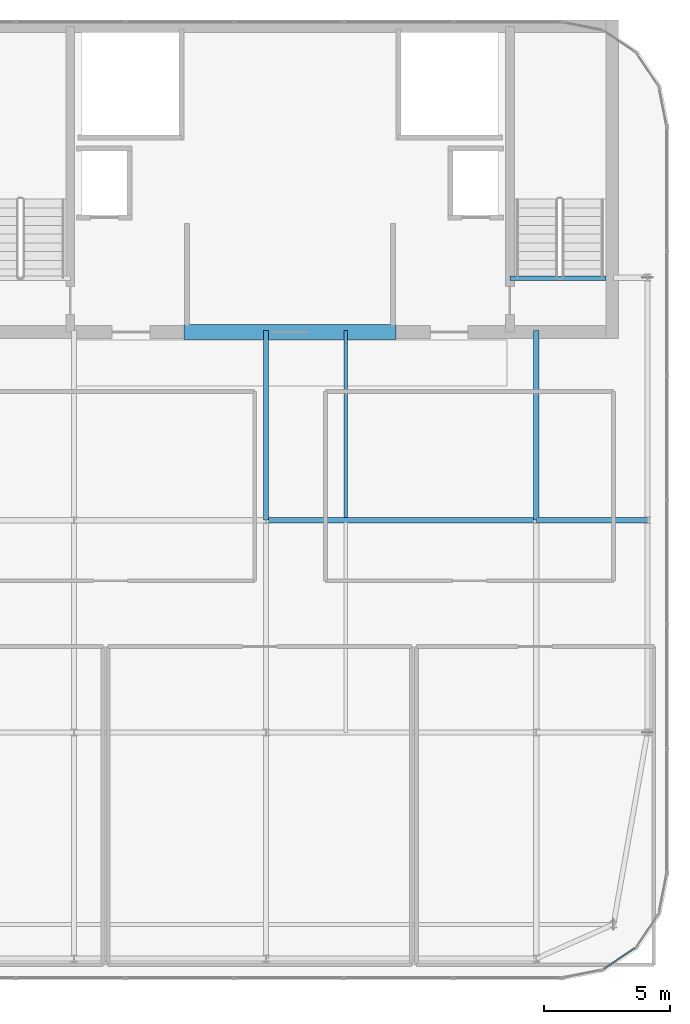
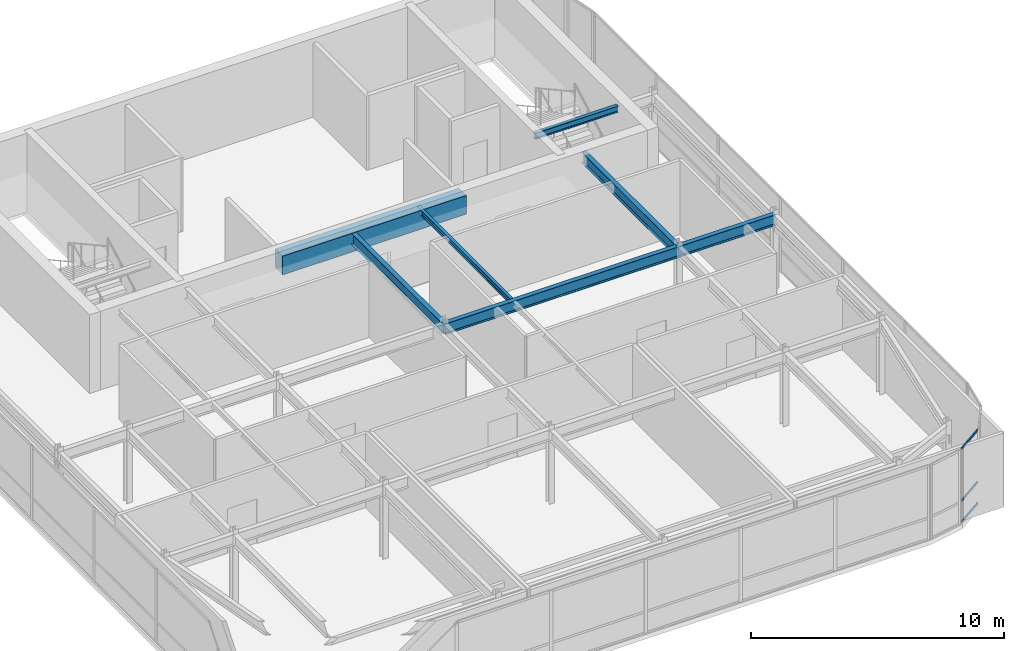
# One storey, part 20 of 36: 7 beams, 3 members, 1 element without a shape of its own.
"""IFC4 building model written with IfcOpenShell, lengths in metres."""

from ifc_helpers import new_model, si_unit, direction, frame, origin, origin_2d, place, context, subcontext, project, spatial, rectangle, hollow_rectangle, i_section, extrude, source, transform, mapped, material, layer, layer_set, material_profile, profile_set, type_object, type_shapes, element, aggregate, save


model = new_model("IFC4")

# Units and contexts
model_context = context("Model", 3, precision=1e-05, world=origin(), true_north=direction((0.0, 1.0)))
body_context = subcontext(model_context, "Body", "Model", "MODEL_VIEW")
ifc_project = project(units=[si_unit("LENGTHUNIT", "METRE"), si_unit("AREAUNIT", "SQUARE_METRE"), si_unit("VOLUMEUNIT", "CUBIC_METRE"), si_unit("PLANEANGLEUNIT", "RADIAN"), si_unit("MASSUNIT", "GRAM", prefix="KILO")], contexts=[model_context])

# Site, building, storey
site_placement = place(None, origin())
site = spatial("IfcSite", under=ifc_project, at=site_placement, CompositionType="ELEMENT")
building_placement = place(site_placement, origin())
building = spatial("IfcBuilding", under=site, at=building_placement, Name="Tolvann Quenvar Hotel", CompositionType="ELEMENT")
storey_placement = place(building_placement, frame((0.0, 0.0, 306.14990234375)))
storey = spatial("IfcBuildingStorey", under=building, at=storey_placement, Name="L81", CompositionType="ELEMENT", Elevation=306.14990234375)

# Beams
ifc_material_1 = material(Name="Concrete N50 (50 MPa)", Category="concrete")
ifc_material_profile_1 = material_profile(ifc_material_1, rectangle(XDim=0.60009765625, YDim=0.89990234375, at=origin_2d()), Name="RC600x900")
ifc_profile_set_1 = profile_set([ifc_material_profile_1], Name="Concrete N50 (50 MPa)")
beam_type_1 = type_object("IfcBeamType", Name="BM_LINT_RC600x900", PredefinedType="LINTEL", material=ifc_profile_set_1)
shared_shape_1 = source(origin(), body_context, "Body", "SweptSolid", [
    extrude(rectangle(XDim=0.60009765625, YDim=0.89990234375, at=origin_2d()), origin(), (0.0, 0.0, 1.0), 8.39990234375),
])
type_shapes(beam_type_1, [shared_shape_1])
beam_1_placement = place(storey_placement, frame((18.800048828125, 31.85009765625, 3.130126953125), z_axis=(1.0, 0.0, 0.0), x_axis=(0.0, 1.0, 0.0)))
element("IfcBeam", 1, at=beam_1_placement, inside=storey, type_object=beam_type_1, Name="Core Coupling Lintel Beam (L81)", PredefinedType="LINTEL", context=body_context, shape_type="MappedRepresentation", body=[
    mapped(shared_shape_1, transform((0.0, 0.0, 0.0), x_axis=(1.0, 0.0, 0.0), y_axis=(0.0, 1.0, 0.0), z_axis=(0.0, 0.0, 1.0), scale=1.0)),
])
ifc_material_2 = material(Name="Steel Grade 350", Category="steel")
ifc_material_profile_2 = material_profile(ifc_material_2, i_section(OverallWidth=0.166015625, OverallDepth=0.306884765625, WebThickness=0.006591796875, FlangeThickness=0.01171875, FilletRadius=0.011474609375, at=origin_2d()), Name="310UB46")
ifc_profile_set_2 = profile_set([ifc_material_profile_2], Name="Steel Grade 350")
beam_type_2 = type_object("IfcBeamType", Name="BM_JOIST_310UB46", PredefinedType="JOIST", material=ifc_profile_set_2)
shared_shape_2 = source(origin(), body_context, "Body", "SweptSolid", [
    extrude(i_section(OverallWidth=0.166015625, OverallDepth=0.306884765625, WebThickness=0.006591796875, FlangeThickness=0.01171875, FilletRadius=0.011474609375, at=origin_2d()), origin(), (0.0, 0.0, 1.0), 3.800048828125),
])
type_shapes(beam_type_2, [shared_shape_2])
beam_2_placement = place(storey_placement, frame((31.699951171875, 33.97998046875, 3.426513671875), z_axis=(1.0, 0.0, 0.0), x_axis=(0.0, 1.0, 0.0)))
element("IfcBeam", 2, at=beam_2_placement, inside=storey, type_object=beam_type_2, Name="BM-HDR-STC2-L82", PredefinedType="JOIST", context=body_context, shape_type="MappedRepresentation", body=[
    mapped(shared_shape_2, transform((0.0, 0.0, 0.0), x_axis=(1.0, 0.0, 0.0), y_axis=(0.0, 1.0, 0.0), z_axis=(0.0, 0.0, 1.0), scale=1.0)),
])
ifc_material_profile_3 = material_profile(ifc_material_2, i_section(OverallWidth=0.208984375, OverallDepth=0.532958984375, WebThickness=0.01025390625, FlangeThickness=0.015625, FilletRadius=0.013916015625, at=origin_2d()), Name="530UB92")
ifc_profile_set_3 = profile_set([ifc_material_profile_3], Name="Steel Grade 350")
beam_type_3 = type_object("IfcBeamType", Name="BM_GIRD_530UB92", PredefinedType="BEAM", material=ifc_profile_set_3)
shared_shape_3 = source(origin(), body_context, "Body", "SweptSolid", [
    extrude(i_section(OverallWidth=0.208984375, OverallDepth=0.532958984375, WebThickness=0.01025390625, FlangeThickness=0.015625, FilletRadius=0.013916015625, at=origin_2d()), origin(), (0.0, 0.0, 1.0), 7.5),
])
for number, where, z_axis, x_axis, name in (
    (3, (22.050048828125, 24.39990234375, 3.3134765625), (0.0, 1.0, 0.0), (-1.0, 0.0, 0.0), "BM-L81-CORE-E5"),
    (4, (32.75, 24.39990234375, 3.3134765625), (0.0, 1.0, 0.0), (-1.0, 0.0, 0.0), "BM-L81-CORE-FP5"),
):
    element("IfcBeam", number, at=place(storey_placement, frame(where, z_axis=z_axis, x_axis=x_axis)), inside=storey, type_object=beam_type_3, Name=name, PredefinedType="BEAM", context=body_context, shape_type="MappedRepresentation", body=[
        mapped(shared_shape_3, transform((0.0, 0.0, 0.0), x_axis=(1.0, 0.0, 0.0), y_axis=(0.0, 1.0, 0.0), z_axis=(0.0, 0.0, 1.0), scale=1.0)),
    ])
shared_shape_4 = source(origin(), body_context, "Body", "SweptSolid", [
    extrude(i_section(OverallWidth=0.208984375, OverallDepth=0.532958984375, WebThickness=0.01025390625, FlangeThickness=0.015625, FilletRadius=0.013916015625, at=origin_2d()), origin(), (0.0, 0.0, 1.0), 10.699951171875),
])
beam_3_placement = place(storey_placement, frame((22.050048828125, 24.39990234375, 3.3134765625), z_axis=(1.0, 0.0, 0.0), x_axis=(0.0, 1.0, 0.0)))
element("IfcBeam", 5, at=beam_3_placement, inside=storey, type_object=beam_type_3, Name="BM-L81-EW-5-E5-FP5", PredefinedType="BEAM", context=body_context, shape_type="MappedRepresentation", body=[
    mapped(shared_shape_4, transform((0.0, 0.0, 0.0), x_axis=(1.0, 0.0, 0.0), y_axis=(0.0, 1.0, 0.0), z_axis=(0.0, 0.0, 1.0), scale=1.0)),
])
shared_shape_5 = source(origin(), body_context, "Body", "SweptSolid", [
    extrude(i_section(OverallWidth=0.208984375, OverallDepth=0.532958984375, WebThickness=0.01025390625, FlangeThickness=0.015625, FilletRadius=0.013916015625, at=origin_2d()), origin(), (0.0, 0.0, 1.0), 4.39990234375),
])
type_shapes(beam_type_3, [shared_shape_3, shared_shape_4, shared_shape_5])
beam_4_placement = place(storey_placement, frame((32.75, 24.39990234375, 3.3134765625), z_axis=(1.0, 0.0, 0.0), x_axis=(0.0, 1.0, 0.0)))
element("IfcBeam", 6, at=beam_4_placement, inside=storey, type_object=beam_type_3, Name="BM-L81-EW-5-FP5-G5", PredefinedType="BEAM", context=body_context, shape_type="MappedRepresentation", body=[
    mapped(shared_shape_5, transform((0.0, 0.0, 0.0), x_axis=(1.0, 0.0, 0.0), y_axis=(0.0, 1.0, 0.0), z_axis=(0.0, 0.0, 1.0), scale=1.0)),
])
ifc_material_profile_4 = material_profile(ifc_material_2, i_section(OverallWidth=0.14599609375, OverallDepth=0.256103515625, WebThickness=0.00634765625, FlangeThickness=0.010986328125, FilletRadius=0.0087890625, at=origin_2d()), Name="250UB37")
ifc_profile_set_4 = profile_set([ifc_material_profile_4], Name="Steel Grade 350")
beam_type_4 = type_object("IfcBeamType", Name="BM_JOIST_250UB37", PredefinedType="JOIST", material=ifc_profile_set_4)
shared_shape_6 = source(origin(), body_context, "Body", "SweptSolid", [
    extrude(i_section(OverallWidth=0.14599609375, OverallDepth=0.256103515625, WebThickness=0.00634765625, FlangeThickness=0.010986328125, FilletRadius=0.0087890625, at=origin_2d()), origin(), (0.0, 0.0, 1.0), 7.4013671875),
])
type_shapes(beam_type_4, [shared_shape_6])
beam_5_placement = place(storey_placement, frame((25.199951171875, 24.49853515625, 3.4521484375), z_axis=(0.0, 1.0, 0.0), x_axis=(-1.0, 0.0, 0.0)))
element("IfcBeam", 7, at=beam_5_placement, inside=storey, type_object=beam_type_4, Name="BJ-L81-252-244", PredefinedType="JOIST", context=body_context, shape_type="MappedRepresentation", body=[
    mapped(shared_shape_6, transform((0.0, 0.0, 0.0), x_axis=(1.0, 0.0, 0.0), y_axis=(0.0, 1.0, 0.0), z_axis=(0.0, 0.0, 1.0), scale=1.0)),
])

# Curtain wall, members
ifc_material_3 = material(Name="Thermally broken anodised architectural aluminium 6063-T6 and laminated low-E glass", Category="aluminium")
ifc_layer = layer(ifc_material_3, 0.179931640625)
ifc_layer_set = layer_set([ifc_layer], Name="Thermally broken anodised architectural aluminium 6063-T6 and laminated low-E glass")
curtain_wall_type = type_object("IfcCurtainWallType", Name="CW_SYS_LANT_06", PredefinedType="USERDEFINED", material=ifc_layer_set)
curtain_wall_placement = place(storey_placement, origin())
curtain_wall = element("IfcCurtainWall", 8, at=curtain_wall_placement, inside=storey, type_object=curtain_wall_type, Name="Curtain Wall CW-LANT-06 (CWR-L81-E06)", ObjectType="UNITISED CURTAIN WALL", PredefinedType="USERDEFINED")
ifc_material_4 = material(Name="Anodised architectural aluminium 6063-T6 framing", Category="aluminium")
ifc_material_profile_5 = material_profile(ifc_material_4, hollow_rectangle(XDim=0.050048828125, YDim=0.10009765625, WallThickness=0.0029296875, at=origin_2d()), Name="100x50x3RHS")
ifc_profile_set_5 = profile_set([ifc_material_profile_5], Name="Anodised architectural aluminium 6063-T6 framing")
member_type = type_object("IfcMemberType", Name="CW_TRAN_100x50", PredefinedType="USERDEFINED", material=ifc_profile_set_5)
shared_shape_7 = source(origin(), body_context, "Body", "SweptSolid", [
    extrude(hollow_rectangle(XDim=0.050048828125, YDim=0.10009765625, WallThickness=0.0029296875, at=origin_2d()), origin(), (0.0, 0.0, 1.0), 1.439208984375),
])
type_shapes(member_type, [shared_shape_7])
member_1_placement = place(storey_placement, frame((35.440185546875, 6.64990234375, 0.025146484375), z_axis=(0.831449510818, 0.555600315839, 0.0), x_axis=(-0.555600315839, 0.831449510818, 0.0)))
member_1 = element("IfcMember", 9, at=member_1_placement, type_object=member_type, Name="CW-LANT-06 transom 1.1", ObjectType="TRANSOM", PredefinedType="USERDEFINED", context=body_context, shape_type="MappedRepresentation", body=[
    mapped(shared_shape_7, transform((0.0, 0.0, 0.0), x_axis=(1.0, 0.0, 0.0), y_axis=(0.0, 1.0, 0.0), z_axis=(0.0, 0.0, 1.0), scale=1.0)),
])
member_2_placement = place(storey_placement, frame((35.440185546875, 6.64990234375, 1.050048828125), z_axis=(0.831449510818, 0.555600315839, 0.0), x_axis=(-0.555600315839, 0.831449510818, 0.0)))
member_2 = element("IfcMember", 10, at=member_2_placement, type_object=member_type, Name="CW-LANT-06 transom 1.2", ObjectType="TRANSOM", PredefinedType="USERDEFINED", context=body_context, shape_type="MappedRepresentation", body=[
    mapped(shared_shape_7, transform((0.0, 0.0, 0.0), x_axis=(1.0, 0.0, 0.0), y_axis=(0.0, 1.0, 0.0), z_axis=(0.0, 0.0, 1.0), scale=1.0)),
])
member_3_placement = place(storey_placement, frame((35.440185546875, 6.64990234375, 3.55517578125), z_axis=(0.831449510818, 0.555600315839, 0.0), x_axis=(-0.555600315839, 0.831449510818, 0.0)))
member_3 = element("IfcMember", 11, at=member_3_placement, type_object=member_type, Name="CW-LANT-06 transom 1.3", ObjectType="TRANSOM", PredefinedType="USERDEFINED", context=body_context, shape_type="MappedRepresentation", body=[
    mapped(shared_shape_7, transform((0.0, 0.0, 0.0), x_axis=(1.0, 0.0, 0.0), y_axis=(0.0, 1.0, 0.0), z_axis=(0.0, 0.0, 1.0), scale=1.0)),
])
aggregate(curtain_wall, [member_1, member_2, member_3])

save(model, "model.ifc")
